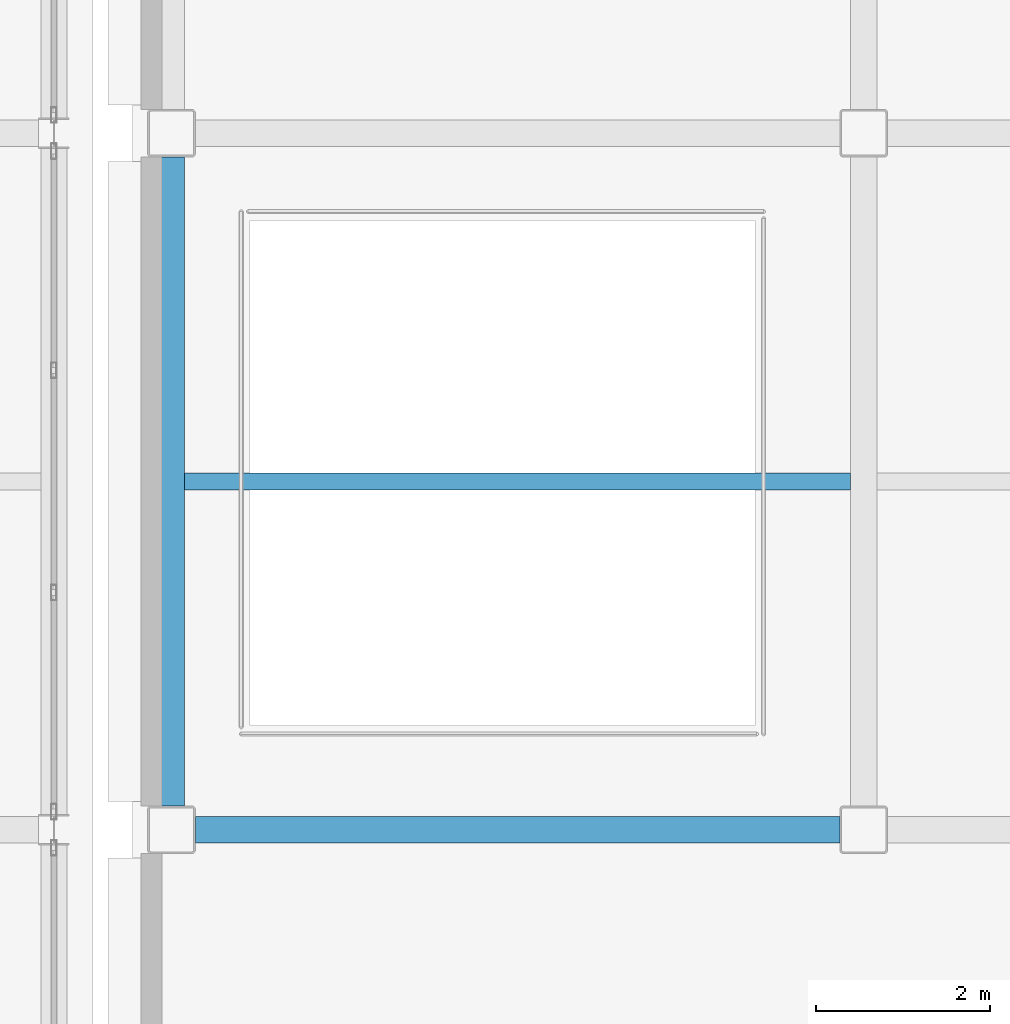
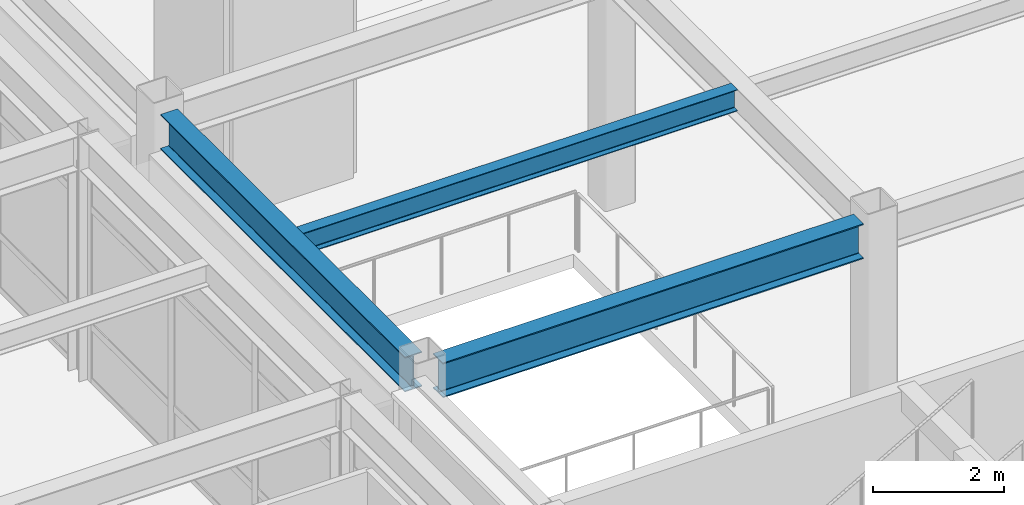
# One storey, part 21 of 154: 3 beams.
"""IFC4 building model written with IfcOpenShell, lengths in metres."""

import ifcopenshell
import ifcopenshell.guid

model = None  # the IFC model being written
_history = None  # IfcOwnerHistory: only IFC2X3 demands one
_inside = {}  # id of a spatial element -> (the spatial element, [elements in it])
_under = {}  # id of a project, library or spatial element -> (it, [spatial elements below it])
_declared = {}  # id of a project -> (the project, [libraries it declares])
_typed = {}  # id of a type object -> (the type object, [elements of that type])
_made_of = {}  # id of a material, layer set ... -> (it, [elements and type objects made of it])


def new_model(schema):
    """Start an empty IFC model of exactly this schema.

    Asked for "IFC4X3", IfcOpenShell would pick the latest addendum, in which some entities
    have other attributes; the version numbers below select the first issue.
    IFC2X3 requires an IfcOwnerHistory on every rooted entity: one is made here for all.
    """
    global model, _history
    if schema == "IFC4X3":
        model = ifcopenshell.file(schema_version=(4, 3, 0, 0))
    else:
        model = ifcopenshell.file(schema=schema)
    _inside.clear()
    _under.clear()
    _declared.clear()
    _typed.clear()
    _made_of.clear()
    _history = None
    if model.schema == "IFC2X3":
        org = make("IfcOrganization", Name="unknown")
        user = make(
            "IfcPersonAndOrganization",
            ThePerson=make("IfcPerson", FamilyName="unknown"),
            TheOrganization=org,
        )
        app = make(
            "IfcApplication",
            ApplicationDeveloper=org,
            Version="unknown",
            ApplicationFullName="unknown",
            ApplicationIdentifier="unknown",
        )
        _history = make(
            "IfcOwnerHistory",
            OwningUser=user,
            OwningApplication=app,
            ChangeAction="ADDED",
            CreationDate=0,
        )
    return model


def make(cls, **values):
    """One entity of the class cls with the attributes given. An attribute that is None is left unset."""
    return model.create_entity(
        cls, **{name: value for name, value in values.items() if value is not None}
    )


def rooted(cls, **values):
    """An entity with a GlobalId (a new one), such as an element, a storey or a relation."""
    return make(cls, GlobalId=ifcopenshell.guid.new(), OwnerHistory=_history, **values)


def si_unit(unit_type, name, prefix=None):
    """IfcSIUnit, for example si_unit("LENGTHUNIT", "METRE", prefix="MILLI")."""
    return make("IfcSIUnit", UnitType=unit_type, Prefix=prefix, Name=name)


def assignment(units):
    """IfcUnitAssignment: the units of a project."""
    return None if units is None else make("IfcUnitAssignment", Units=units)


def point(xyz):
    """IfcCartesianPoint."""
    return None if xyz is None else make("IfcCartesianPoint", Coordinates=xyz)


def direction(xyz):
    """IfcDirection."""
    return None if xyz is None else make("IfcDirection", DirectionRatios=xyz)


def frame(location, z_axis=None, x_axis=None):
    """IfcAxis2Placement3D, a coordinate frame: its origin and axes. An axis left out is left unset."""
    return make(
        "IfcAxis2Placement3D",
        Location=point(location),
        Axis=direction(z_axis),
        RefDirection=direction(x_axis),
    )


def frame_2d(location, x_axis=None):
    """IfcAxis2Placement2D, a coordinate frame in the plane: its origin and x axis."""
    return make(
        "IfcAxis2Placement2D", Location=point(location), RefDirection=direction(x_axis)
    )


def origin():
    """The frame at (0, 0, 0) with its axes left unset."""
    return frame((0.0, 0.0, 0.0))


def origin_2d():
    """The frame at (0, 0) in the plane with its x axis left unset."""
    return frame_2d((0.0, 0.0))


def place(relative_to, where):
    """IfcLocalPlacement: puts the frame where relative to a parent placement (None: the world)."""
    return make(
        "IfcLocalPlacement", PlacementRelTo=relative_to, RelativePlacement=where
    )


def context(
    kind, dimensions, precision=None, world=None, true_north=None, identifier=None
):
    """IfcGeometricRepresentationContext, for example the 3D "Model" context."""
    return make(
        "IfcGeometricRepresentationContext",
        ContextIdentifier=identifier,
        ContextType=kind,
        CoordinateSpaceDimension=dimensions,
        Precision=precision,
        WorldCoordinateSystem=world,
        TrueNorth=true_north,
    )


def subcontext(parent, identifier, kind, view, scale=None):
    """IfcGeometricRepresentationSubContext, for example "Body" below "Model"."""
    return make(
        "IfcGeometricRepresentationSubContext",
        ContextIdentifier=identifier,
        ContextType=kind,
        ParentContext=parent,
        TargetScale=scale,
        TargetView=view,
    )


def project(units=None, contexts=None):
    """IfcProject with its units and contexts."""
    return rooted(
        "IfcProject",
        Name="project",
        RepresentationContexts=contexts,
        UnitsInContext=assignment(units),
    )


def spatial(cls, under=None, at=None, **own):
    """A site, building, storey or space (cls), placed at a placement, below another one or the project."""
    s = rooted(cls, ObjectPlacement=at, **own)
    if under is not None:
        _under.setdefault(under.id(), (under, []))[1].append(s)
    return s


def profile(cls, at=None, kind="AREA", **sizes):
    """A parametric profile (cls). Its sizes go by their IFC names, for example OverallWidth=200.0."""
    return make(cls, ProfileType=kind, Position=at, **sizes)


def i_section(**sizes):
    """IfcIShapeProfileDef."""
    return profile("IfcIShapeProfileDef", **sizes)


def extrude(swept, where, along, depth):
    """IfcExtrudedAreaSolid: the profile swept, set in the frame where, extruded along a direction by depth."""
    return make(
        "IfcExtrudedAreaSolid",
        SweptArea=swept,
        Position=where,
        ExtrudedDirection=direction(along),
        Depth=depth,
    )


def shape(context_of_items, identifier, shape_type, items):
    """IfcShapeRepresentation: the items that make up one representation, for example the "Body"."""
    return make(
        "IfcShapeRepresentation",
        ContextOfItems=context_of_items,
        RepresentationIdentifier=identifier,
        RepresentationType=shape_type,
        Items=items,
    )


def material(Name=None, Category=None):
    """IfcMaterial."""
    return make("IfcMaterial", Name=Name, Category=Category)


def material_profile(
    of_material, cross_section, Name=None, Category=None, Priority=None
):
    """IfcMaterialProfile: a cross section and its material."""
    return make(
        "IfcMaterialProfile",
        Name=Name,
        Material=of_material,
        Profile=cross_section,
        Priority=Priority,
        Category=Category,
    )


def profile_set(profiles, Name=None, composite=None):
    """IfcMaterialProfileSet."""
    return make(
        "IfcMaterialProfileSet",
        Name=Name,
        MaterialProfiles=profiles,
        CompositeProfile=composite,
    )


def made_of(thing, what):
    """Note that an element or type object is made of a material, layer set ...; save() writes the relation."""
    if what is not None:
        _made_of.setdefault(what.id(), (what, []))[1].append(thing)
    return thing


def type_object(cls, material=None, **own):
    """A type object (cls), such as IfcWallType, which elements share."""
    return made_of(rooted(cls, **own), material)


def element(
    cls,
    number,
    at=None,
    inside=None,
    cuts=None,
    type_object=None,
    material=None,
    context=None,
    identifier="Body",
    shape_type=None,
    held_by="IfcProductDefinitionShape",
    body=None,
    shapes=None,
    **own,
):
    """One element of the class cls, such as IfcWall. Its Tag is "e" and its number.

    at: its placement. inside: the storey or other place that contains it. cuts: it is an
    opening in that element (IfcRelVoidsElement). A single representation is given by context,
    identifier, shape_type and body (its items); several are given by shapes. held_by: the class
    of the entity that holds the representations. save() writes the other relations.
    """
    e = rooted(cls, Tag="e%d" % number, ObjectPlacement=at, **own)
    if body is not None:
        shapes = [shape(context, identifier, shape_type, body)]
    if shapes is not None:
        e.Representation = make(held_by, Representations=shapes)
    if inside is not None:
        _inside.setdefault(inside.id(), (inside, []))[1].append(e)
    if cuts is not None:
        rooted(
            "IfcRelVoidsElement", RelatingBuildingElement=cuts, RelatedOpeningElement=e
        )
    if type_object is not None:
        _typed.setdefault(type_object.id(), (type_object, []))[1].append(e)
    return made_of(e, material)


def aggregate(whole, parts):
    """IfcRelAggregates: a whole, such as a stair, and the parts it consists of."""
    return rooted("IfcRelAggregates", RelatingObject=whole, RelatedObjects=parts)


def save(model, path):
    """Write the relations noted so far, then the file.

    IfcRelAggregates (storeys below a building ...), IfcRelContainedInSpatialStructure (elements
    in a storey), IfcRelDefinesByType, IfcRelAssociatesMaterial and IfcRelDeclares: one each for
    every whole, place, type object, material and project.
    """
    for whole, parts in _under.values():
        aggregate(whole, parts)
    for where, things in _inside.values():
        rooted(
            "IfcRelContainedInSpatialStructure",
            RelatedElements=things,
            RelatingStructure=where,
        )
    for kind, things in _typed.values():
        rooted("IfcRelDefinesByType", RelatedObjects=things, RelatingType=kind)
    for what, things in _made_of.values():
        rooted("IfcRelAssociatesMaterial", RelatedObjects=things, RelatingMaterial=what)
    for by, libraries in _declared.values():
        rooted("IfcRelDeclares", RelatingContext=by, RelatedDefinitions=libraries)
    model.write(path)


model = new_model("IFC4")

# Units and contexts
model_context = context("Model", 3, precision=1e-05, world=origin(), true_north=direction((0.0, 1.0)))
body_context = subcontext(model_context, "Body", "Model", "MODEL_VIEW")
ifc_project = project(units=[si_unit("LENGTHUNIT", "METRE"), si_unit("AREAUNIT", "SQUARE_METRE"), si_unit("VOLUMEUNIT", "CUBIC_METRE"), si_unit("PLANEANGLEUNIT", "RADIAN"), si_unit("MASSUNIT", "GRAM", prefix="KILO")], contexts=[model_context])

# Site, building, storey
site_placement = place(None, origin())
site = spatial("IfcSite", under=ifc_project, at=site_placement, CompositionType="ELEMENT")
building_placement = place(site_placement, origin())
building = spatial("IfcBuilding", under=site, at=building_placement, Name="Kazehara Bluff Congress Hotel", CompositionType="ELEMENT")
storey_placement = place(building_placement, frame((0.0, 0.0, 10.199951171875)))
storey = spatial("IfcBuildingStorey", under=building, at=storey_placement, Name="L02", CompositionType="ELEMENT", Elevation=10.199951171875)

# Beams
ifc_material_1 = material(Name="Steel SN490B", Category="steel")
ifc_material_profile_1 = material_profile(ifc_material_1, i_section(OverallWidth=0.300048828125, OverallDepth=0.64990234375, WebThickness=0.011962890625, FlangeThickness=0.02001953125, FilletRadius=0.012939453125, at=origin_2d()))
ifc_profile_set_1 = profile_set([ifc_material_profile_1], Name="Steel SN490B")
beam_type_1 = type_object("IfcBeamType", Name="TP-G-03", PredefinedType="BEAM", material=ifc_profile_set_1)
beam_1_placement = place(storey_placement, frame((59.699951171875, 24.27490234375, 4.235107421875), z_axis=(0.0, 1.0, 0.0), x_axis=(-1.0, 0.0, 0.0)))
element("IfcBeam", 1, at=beam_1_placement, inside=storey, type_object=beam_type_1, Name="L02 girder G-03 58", PredefinedType="BEAM", context=body_context, shape_type="SweptSolid", body=[
    extrude(i_section(OverallWidth=0.300048828125, OverallDepth=0.64990234375, WebThickness=0.011962890625, FlangeThickness=0.02001953125, FilletRadius=0.012939453125, at=origin_2d()), origin(), (0.0, 0.0, 1.0), 7.4501953125),
])
beam_2_placement = place(storey_placement, frame((59.97509765625, 24.0, 4.235107421875), z_axis=(1.0, 0.0, 0.0), x_axis=(0.0, 1.0, 0.0)))
element("IfcBeam", 2, at=beam_2_placement, inside=storey, type_object=beam_type_1, Name="L02 girder G-03 102", PredefinedType="BEAM", context=body_context, shape_type="SweptSolid", body=[
    extrude(i_section(OverallWidth=0.300048828125, OverallDepth=0.64990234375, WebThickness=0.011962890625, FlangeThickness=0.02001953125, FilletRadius=0.012939453125, at=origin_2d()), origin(), (0.0, 0.0, 1.0), 7.39990234375),
])
ifc_material_2 = material(Name="Steel SN400B", Category="steel")
ifc_material_profile_2 = material_profile(ifc_material_2, i_section(OverallWidth=0.199951171875, OverallDepth=0.39990234375, WebThickness=0.008056640625, FlangeThickness=0.012939453125, FilletRadius=0.012939453125, at=origin_2d()))
ifc_profile_set_2 = profile_set([ifc_material_profile_2], Name="Steel SN400B")
beam_type_2 = type_object("IfcBeamType", Name="TP-J-03", PredefinedType="JOIST", material=ifc_profile_set_2)
beam_3_placement = place(storey_placement, frame((59.85009765625, 28.0, 4.360107421875), z_axis=(1.0, 0.0, 0.0), x_axis=(0.0, 1.0, 0.0)))
element("IfcBeam", 3, at=beam_3_placement, inside=storey, type_object=beam_type_2, Name="L02 secondary joist J-03 6", PredefinedType="JOIST", context=body_context, shape_type="SweptSolid", body=[
    extrude(i_section(OverallWidth=0.199951171875, OverallDepth=0.39990234375, WebThickness=0.008056640625, FlangeThickness=0.012939453125, FilletRadius=0.012939453125, at=origin_2d()), origin(), (0.0, 0.0, 1.0), 7.64990234375),
])

save(model, "model.ifc")
